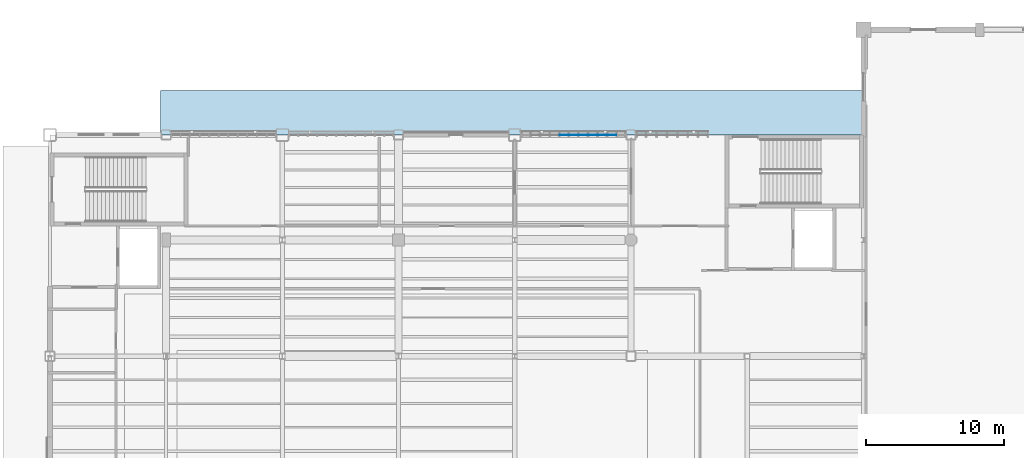
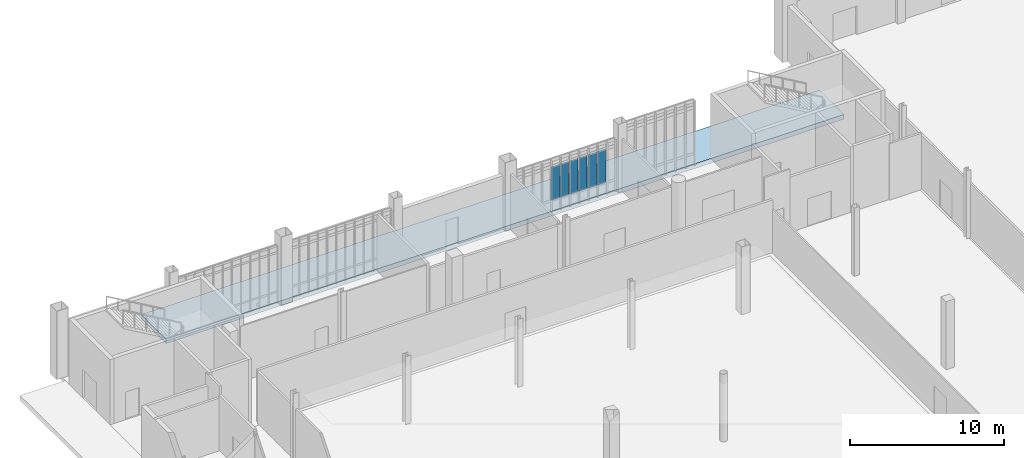
# One storey, part 64 of 111: 6 plates, 1 slab, 1 element without a shape of its own.
"""IFC4 building model written with IfcOpenShell, lengths in metres."""

from ifc_helpers import new_model, si_unit, direction, frame, origin, origin_2d, place, context, subcontext, project, spatial, polyline, rectangle, outline, extrude, material, layer, layer_set, type_object, element, aggregate, save


model = new_model("IFC4")

# Units and contexts
model_context = context("Model", 3, precision=1e-05, world=origin(), true_north=direction((0.0, 1.0)))
body_context = subcontext(model_context, "Body", "Model", "MODEL_VIEW")
ifc_project = project(units=[si_unit("LENGTHUNIT", "METRE"), si_unit("AREAUNIT", "SQUARE_METRE"), si_unit("VOLUMEUNIT", "CUBIC_METRE"), si_unit("PLANEANGLEUNIT", "RADIAN"), si_unit("MASSUNIT", "GRAM", prefix="KILO")], contexts=[model_context])

# Site, building, storey
site_placement = place(None, origin())
site = spatial("IfcSite", under=ifc_project, at=site_placement, CompositionType="ELEMENT")
building_placement = place(site_placement, origin())
building = spatial("IfcBuilding", under=site, at=building_placement, Name="Larkvane Passage Sports Hall", CompositionType="ELEMENT")
storey_placement = place(building_placement, origin())
storey = spatial("IfcBuildingStorey", under=building, at=storey_placement, Name="L00", CompositionType="ELEMENT", Elevation=0.0)

# Curtain wall, plates
ifc_material_1 = material(Name="Thermally broken aluminium and low-E glazing", Category="aluminium")
curtain_wall_type = type_object("IfcCurtainWallType", Name="CW-STICK-FOYER", PredefinedType="USERDEFINED", material=ifc_material_1)
curtain_wall_placement = place(storey_placement, origin())
curtain_wall = element("IfcCurtainWall", 1, at=curtain_wall_placement, inside=storey, type_object=curtain_wall_type, Name="Curtain wall CW5-L00-010", ObjectType="STICK CURTAIN WALL", PredefinedType="USERDEFINED")
ifc_material_2 = material(Name="High-impact court low-E glazing", Category="glass")
ifc_layer_1 = layer(ifc_material_2, 0.035888671875)
ifc_layer_set_1 = layer_set([ifc_layer_1], Name="High-impact court low-E glazing")
plate_type = type_object("IfcPlateType", Name="CWP-VIS-36", PredefinedType="CURTAIN_PANEL", material=ifc_layer_set_1)
plate_1_placement = place(storey_placement, frame((71.958251953125, 91.60009765625, 0.89501953125), z_axis=(0.0, 0.0, 1.0), x_axis=(1.0, 0.0, 0.0)))
plate_1 = element("IfcPlate", 2, at=plate_1_placement, type_object=plate_type, Name="CW-03 panel 5.2", PredefinedType="CURTAIN_PANEL", context=body_context, shape_type="SweptSolid", body=[
    extrude(rectangle(XDim=0.6015625, YDim=0.035888671875, at=origin_2d()), origin(), (0.0, 0.0, 1.0), 2.6279296875),
])
plate_2_placement = place(storey_placement, frame((72.64990234375, 91.60009765625, 0.89501953125), z_axis=(0.0, 0.0, 1.0), x_axis=(1.0, 0.0, 0.0)))
plate_2 = element("IfcPlate", 3, at=plate_2_placement, type_object=plate_type, Name="CW-03 panel 6.2", PredefinedType="CURTAIN_PANEL", context=body_context, shape_type="SweptSolid", body=[
    extrude(rectangle(XDim=0.6015625, YDim=0.035888671875, at=origin_2d()), origin(), (0.0, 0.0, 1.0), 2.6279296875),
])
plate_3_placement = place(storey_placement, frame((73.341552734375, 91.60009765625, 0.89501953125), z_axis=(0.0, 0.0, 1.0), x_axis=(1.0, 0.0, 0.0)))
plate_3 = element("IfcPlate", 4, at=plate_3_placement, type_object=plate_type, Name="CW-03 panel 7.2", PredefinedType="CURTAIN_PANEL", context=body_context, shape_type="SweptSolid", body=[
    extrude(rectangle(XDim=0.6015625, YDim=0.035888671875, at=origin_2d()), origin(), (0.0, 0.0, 1.0), 2.6279296875),
])
plate_4_placement = place(storey_placement, frame((74.033203125, 91.60009765625, 0.89501953125), z_axis=(0.0, 0.0, 1.0), x_axis=(1.0, 0.0, 0.0)))
plate_4 = element("IfcPlate", 5, at=plate_4_placement, type_object=plate_type, Name="CW-03 panel 8.2", PredefinedType="CURTAIN_PANEL", context=body_context, shape_type="SweptSolid", body=[
    extrude(rectangle(XDim=0.6015625, YDim=0.035888671875, at=origin_2d()), origin(), (0.0, 0.0, 1.0), 2.6279296875),
])
plate_5_placement = place(storey_placement, frame((74.724853515625, 91.60009765625, 0.89501953125), z_axis=(0.0, 0.0, 1.0), x_axis=(1.0, 0.0, 0.0)))
plate_5 = element("IfcPlate", 6, at=plate_5_placement, type_object=plate_type, Name="CW-03 panel 9.2", PredefinedType="CURTAIN_PANEL", context=body_context, shape_type="SweptSolid", body=[
    extrude(rectangle(XDim=0.6015625, YDim=0.035888671875, at=origin_2d()), origin(), (0.0, 0.0, 1.0), 2.6279296875),
])
plate_6_placement = place(storey_placement, frame((75.41650390625, 91.60009765625, 0.89501953125), z_axis=(0.0, 0.0, 1.0), x_axis=(1.0, 0.0, 0.0)))
plate_6 = element("IfcPlate", 7, at=plate_6_placement, type_object=plate_type, Name="CW-03 panel 10.2", PredefinedType="CURTAIN_PANEL", context=body_context, shape_type="SweptSolid", body=[
    extrude(rectangle(XDim=0.6015625, YDim=0.035888671875, at=origin_2d()), origin(), (0.0, 0.0, 1.0), 2.6279296875),
])
aggregate(curtain_wall, [plate_1, plate_2, plate_3, plate_4, plate_5, plate_6])

# Slab
ifc_material_3 = material(Name="Concrete C40/50", Category="concrete")
ifc_layer_2 = layer(ifc_material_3, 0.3701171875)
ifc_layer_set_2 = layer_set([ifc_layer_2], Name="Concrete C40/50")
slab_type = type_object("IfcSlabType", Name="SLB-TER-215", PredefinedType="FLOOR", material=ifc_layer_set_2)
slab_placement = place(storey_placement, frame((0.0, 0.0, -0.3701171875)))
element("IfcSlab", 8, at=slab_placement, inside=storey, type_object=slab_type, Name="Exterior terrace deck SLAB-EXT-L00-NORTH", PredefinedType="FLOOR", context=body_context, shape_type="SweptSolid", body=[
    extrude(outline(polyline([(42.800048828125, 91.60009765625), (93.60009765625, 91.60009765625), (93.60009765625, 94.800048828125), (42.800048828125, 94.800048828125), (42.800048828125, 91.60009765625)])), origin(), (0.0, 0.0, 1.0), 0.3701171875),
])

save(model, "model.ifc")
